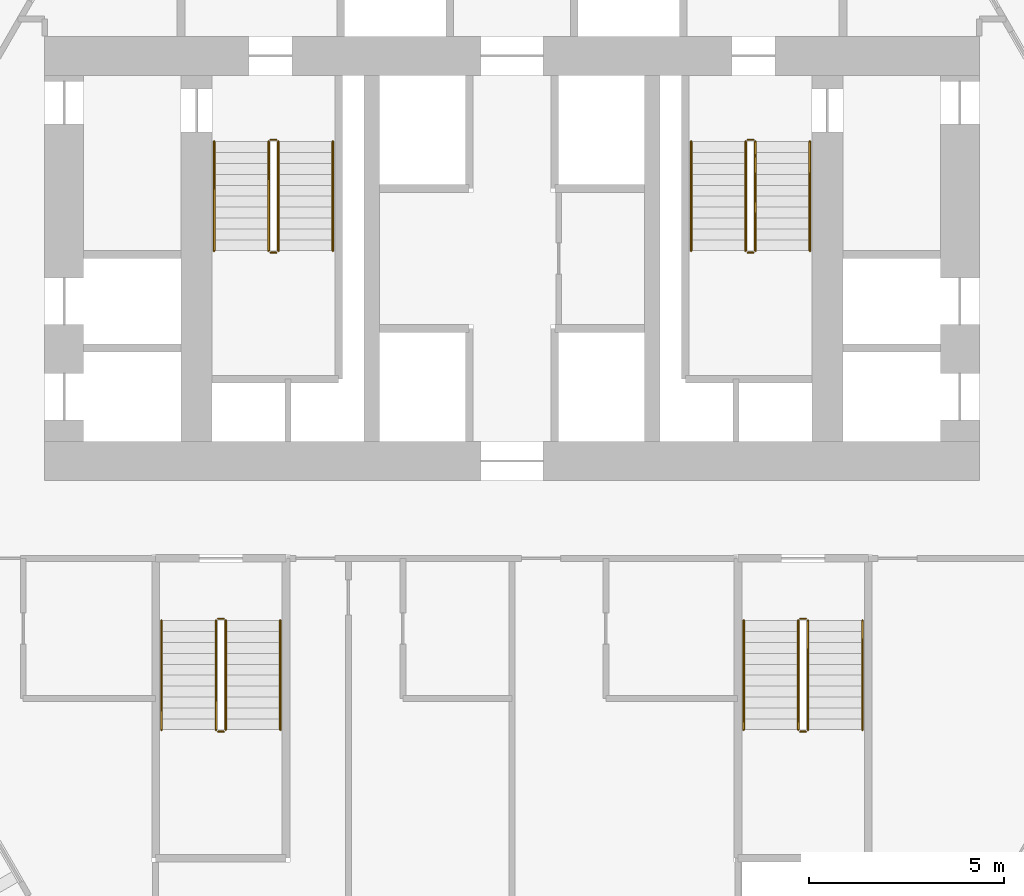
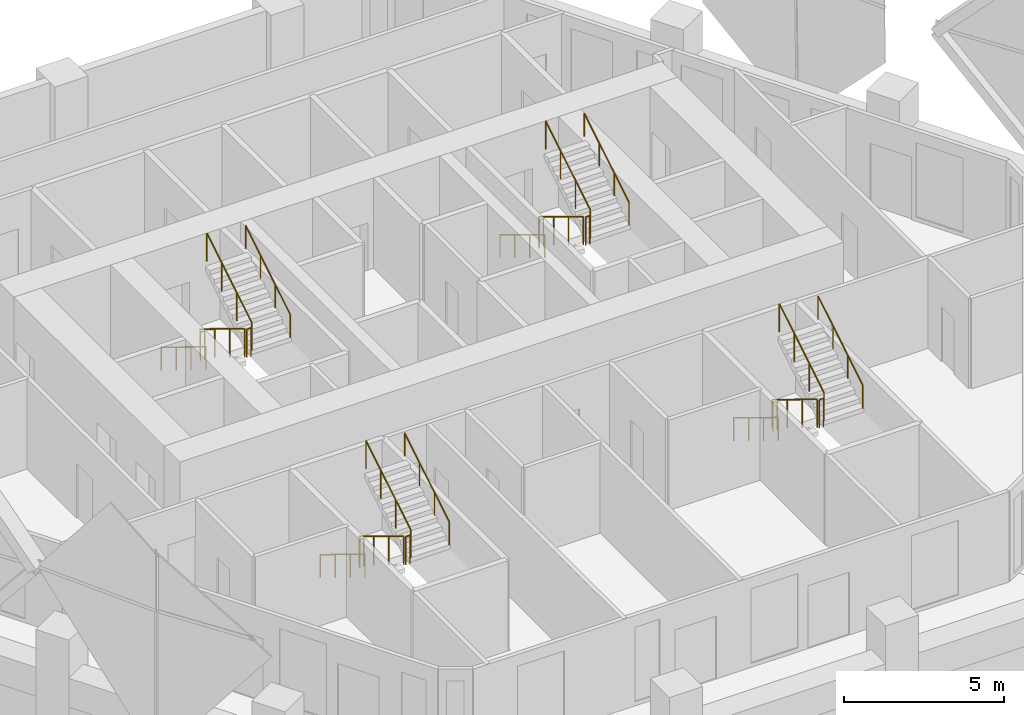
# One storey, part 17 of 17: 24 railings.
"""IFC4 building model written with IfcOpenShell, lengths in metres."""

from ifc_helpers import new_model, si_unit, direction, frame, origin, origin_2d, place, context, subcontext, project, spatial, circle, extrude, material, type_object, element, save


model = new_model("IFC4")

# Units and contexts
model_context = context("Model", 3, precision=1e-05, world=origin(), true_north=direction((0.0, 1.0)))
body_context = subcontext(model_context, "Body", "Model", "MODEL_VIEW")
ifc_project = project(units=[si_unit("LENGTHUNIT", "METRE"), si_unit("AREAUNIT", "SQUARE_METRE"), si_unit("VOLUMEUNIT", "CUBIC_METRE"), si_unit("PLANEANGLEUNIT", "RADIAN"), si_unit("MASSUNIT", "GRAM", prefix="KILO")], contexts=[model_context])

# Site, building, storey
site_placement = place(None, origin())
site = spatial("IfcSite", under=ifc_project, at=site_placement, CompositionType="ELEMENT")
building_placement = place(site_placement, origin())
building = spatial("IfcBuilding", under=site, at=building_placement, Name="Ostrander Bayou Hotel Tower", CompositionType="ELEMENT")
storey_placement = place(building_placement, frame((0.0, 0.0, 127.25)))
storey = spatial("IfcBuildingStorey", under=building, at=storey_placement, Name="L31", CompositionType="ELEMENT", Elevation=127.25)

# Railings
ifc_material_1 = material(Name="Steel ASTM A500 Gr C", Category="steel")
railing_type_1 = type_object("IfcRailingType", Name="GR1 stair guard 1100 mm steel", PredefinedType="GUARDRAIL", material=ifc_material_1)
railing_1_placement = place(storey_placement, frame((-6.25, 7.0, 0.17041015625)))
element("IfcRailing", 1, at=railing_1_placement, inside=storey, type_object=railing_type_1, Name="L31 STA stair guard 1", PredefinedType="GUARDRAIL", context=body_context, shape_type="SweptSolid", body=[
    extrude(circle(Radius=0.02392578125, at=origin_2d()), frame((0.0, 0.0, 1.076171875), z_axis=(0.0, -0.854169791009, 0.51999420009), x_axis=(1.0, 0.0, 0.0)), (0.0, 0.0, 1.0), 3.278076171875),
    extrude(circle(Radius=0.02099609375, at=origin_2d()), origin(), (0.0, 0.0, 1.0), 1.052001953125),
    extrude(circle(Radius=0.02099609375, at=origin_2d()), frame((0.0, -0.933349609375, 0.568115234375)), (0.0, 0.0, 1.0), 1.052001953125),
    extrude(circle(Radius=0.02099609375, at=origin_2d()), frame((0.0, -1.86669921875, 1.136474609375)), (0.0, 0.0, 1.0), 1.052001953125),
    extrude(circle(Radius=0.02099609375, at=origin_2d()), frame((0.0, -2.800048828125, 1.70458984375)), (0.0, 0.0, 1.0), 1.052001953125),
])
railing_2_placement = place(storey_placement, frame((-6.199951171875, 4.14990234375, 1.875)))
element("IfcRailing", 2, at=railing_2_placement, inside=storey, type_object=railing_type_1, Name="L31 STA stair guard 2", PredefinedType="GUARDRAIL", context=body_context, shape_type="SweptSolid", body=[
    extrude(circle(Radius=0.02392578125, at=origin_2d()), frame((0.0, 0.0, 1.076171875), z_axis=(1.0, 0.0, 0.0), x_axis=(0.0, 1.0, 0.0)), (0.0, 0.0, 1.0), 0.14990234375),
    extrude(circle(Radius=0.02099609375, at=origin_2d()), origin(), (0.0, 0.0, 1.0), 1.052001953125),
    extrude(circle(Radius=0.02099609375, at=origin_2d()), frame((0.14990234375, 0.0, 0.0)), (0.0, 0.0, 1.0), 1.052001953125),
])
railing_3_placement = place(storey_placement, frame((-6.0, 4.199951171875, 2.04541015625)))
element("IfcRailing", 3, at=railing_3_placement, inside=storey, type_object=railing_type_1, Name="L31 STA stair guard 3", PredefinedType="GUARDRAIL", context=body_context, shape_type="SweptSolid", body=[
    extrude(circle(Radius=0.02392578125, at=origin_2d()), frame((0.0, 0.0, 1.076171875), z_axis=(0.0, 0.854169791009, 0.51999420009), x_axis=(-1.0, 0.0, 0.0)), (0.0, 0.0, 1.0), 3.278076171875),
    extrude(circle(Radius=0.02099609375, at=origin_2d()), origin(), (0.0, 0.0, 1.0), 1.052001953125),
    extrude(circle(Radius=0.02099609375, at=origin_2d()), frame((0.0, 0.933349609375, 0.568115234375)), (0.0, 0.0, 1.0), 1.052001953125),
    extrude(circle(Radius=0.02099609375, at=origin_2d()), frame((0.0, 1.86669921875, 1.136474609375)), (0.0, 0.0, 1.0), 1.052001953125),
    extrude(circle(Radius=0.02099609375, at=origin_2d()), frame((0.0, 2.800048828125, 1.70458984375)), (0.0, 0.0, 1.0), 1.052001953125),
])
railing_4_placement = place(storey_placement, frame((-6.199951171875, 7.050048828125, 0.0)))
element("IfcRailing", 4, at=railing_4_placement, inside=storey, type_object=railing_type_1, Name="L31 STA stair guard 4", PredefinedType="GUARDRAIL", context=body_context, shape_type="SweptSolid", body=[
    extrude(circle(Radius=0.02392578125, at=origin_2d()), frame((0.0, 0.0, 1.076171875), z_axis=(1.0, 0.0, 0.0), x_axis=(0.0, 1.0, 0.0)), (0.0, 0.0, 1.0), 0.14990234375),
    extrude(circle(Radius=0.02099609375, at=origin_2d()), origin(), (0.0, 0.0, 1.0), 1.052001953125),
    extrude(circle(Radius=0.02099609375, at=origin_2d()), frame((0.14990234375, 0.0, 0.0)), (0.0, 0.0, 1.0), 1.052001953125),
])
railing_5_placement = place(storey_placement, frame((6.0, 7.0, 0.17041015625)))
element("IfcRailing", 5, at=railing_5_placement, inside=storey, type_object=railing_type_1, Name="L31 STB stair guard 1", PredefinedType="GUARDRAIL", context=body_context, shape_type="SweptSolid", body=[
    extrude(circle(Radius=0.02392578125, at=origin_2d()), frame((0.0, 0.0, 1.076171875), z_axis=(0.0, -0.854169791009, 0.51999420009), x_axis=(1.0, 0.0, 0.0)), (0.0, 0.0, 1.0), 3.278076171875),
    extrude(circle(Radius=0.02099609375, at=origin_2d()), origin(), (0.0, 0.0, 1.0), 1.052001953125),
    extrude(circle(Radius=0.02099609375, at=origin_2d()), frame((0.0, -0.933349609375, 0.568115234375)), (0.0, 0.0, 1.0), 1.052001953125),
    extrude(circle(Radius=0.02099609375, at=origin_2d()), frame((0.0, -1.86669921875, 1.136474609375)), (0.0, 0.0, 1.0), 1.052001953125),
    extrude(circle(Radius=0.02099609375, at=origin_2d()), frame((0.0, -2.800048828125, 1.70458984375)), (0.0, 0.0, 1.0), 1.052001953125),
])
railing_6_placement = place(storey_placement, frame((6.050048828125, 4.14990234375, 1.875)))
element("IfcRailing", 6, at=railing_6_placement, inside=storey, type_object=railing_type_1, Name="L31 STB stair guard 2", PredefinedType="GUARDRAIL", context=body_context, shape_type="SweptSolid", body=[
    extrude(circle(Radius=0.02392578125, at=origin_2d()), frame((0.0, 0.0, 1.076171875), z_axis=(1.0, 0.0, 0.0), x_axis=(0.0, 1.0, 0.0)), (0.0, 0.0, 1.0), 0.14990234375),
    extrude(circle(Radius=0.02099609375, at=origin_2d()), origin(), (0.0, 0.0, 1.0), 1.052001953125),
    extrude(circle(Radius=0.02099609375, at=origin_2d()), frame((0.14990234375, 0.0, 0.0)), (0.0, 0.0, 1.0), 1.052001953125),
])
railing_7_placement = place(storey_placement, frame((6.25, 4.199951171875, 2.04541015625)))
element("IfcRailing", 7, at=railing_7_placement, inside=storey, type_object=railing_type_1, Name="L31 STB stair guard 3", PredefinedType="GUARDRAIL", context=body_context, shape_type="SweptSolid", body=[
    extrude(circle(Radius=0.02392578125, at=origin_2d()), frame((0.0, 0.0, 1.076171875), z_axis=(0.0, 0.854169791009, 0.51999420009), x_axis=(-1.0, 0.0, 0.0)), (0.0, 0.0, 1.0), 3.278076171875),
    extrude(circle(Radius=0.02099609375, at=origin_2d()), origin(), (0.0, 0.0, 1.0), 1.052001953125),
    extrude(circle(Radius=0.02099609375, at=origin_2d()), frame((0.0, 0.933349609375, 0.568115234375)), (0.0, 0.0, 1.0), 1.052001953125),
    extrude(circle(Radius=0.02099609375, at=origin_2d()), frame((0.0, 1.86669921875, 1.136474609375)), (0.0, 0.0, 1.0), 1.052001953125),
    extrude(circle(Radius=0.02099609375, at=origin_2d()), frame((0.0, 2.800048828125, 1.70458984375)), (0.0, 0.0, 1.0), 1.052001953125),
])
railing_8_placement = place(storey_placement, frame((6.050048828125, 7.050048828125, 0.0)))
element("IfcRailing", 8, at=railing_8_placement, inside=storey, type_object=railing_type_1, Name="L31 STB stair guard 4", PredefinedType="GUARDRAIL", context=body_context, shape_type="SweptSolid", body=[
    extrude(circle(Radius=0.02392578125, at=origin_2d()), frame((0.0, 0.0, 1.076171875), z_axis=(1.0, 0.0, 0.0), x_axis=(0.0, 1.0, 0.0)), (0.0, 0.0, 1.0), 0.14990234375),
    extrude(circle(Radius=0.02099609375, at=origin_2d()), origin(), (0.0, 0.0, 1.0), 1.052001953125),
    extrude(circle(Radius=0.02099609375, at=origin_2d()), frame((0.14990234375, 0.0, 0.0)), (0.0, 0.0, 1.0), 1.052001953125),
])
railing_9_placement = place(storey_placement, frame((7.35009765625, -5.300048828125, 0.17041015625)))
element("IfcRailing", 9, at=railing_9_placement, inside=storey, type_object=railing_type_1, Name="L31 STC stair guard 1", PredefinedType="GUARDRAIL", context=body_context, shape_type="SweptSolid", body=[
    extrude(circle(Radius=0.02392578125, at=origin_2d()), frame((0.0, 0.0, 1.076171875), z_axis=(0.0, -0.854169791009, 0.51999420009), x_axis=(1.0, 0.0, 0.0)), (0.0, 0.0, 1.0), 3.278076171875),
    extrude(circle(Radius=0.02099609375, at=origin_2d()), origin(), (0.0, 0.0, 1.0), 1.052001953125),
    extrude(circle(Radius=0.02099609375, at=origin_2d()), frame((0.0, -0.933349609375, 0.568115234375)), (0.0, 0.0, 1.0), 1.052001953125),
    extrude(circle(Radius=0.02099609375, at=origin_2d()), frame((0.0, -1.86669921875, 1.136474609375)), (0.0, 0.0, 1.0), 1.052001953125),
    extrude(circle(Radius=0.02099609375, at=origin_2d()), frame((0.0, -2.800048828125, 1.70458984375)), (0.0, 0.0, 1.0), 1.052001953125),
])
railing_10_placement = place(storey_placement, frame((7.39990234375, -8.14990234375, 1.875)))
element("IfcRailing", 10, at=railing_10_placement, inside=storey, type_object=railing_type_1, Name="L31 STC stair guard 2", PredefinedType="GUARDRAIL", context=body_context, shape_type="SweptSolid", body=[
    extrude(circle(Radius=0.02392578125, at=origin_2d()), frame((0.0, 0.0, 1.076171875), z_axis=(1.0, 0.0, 0.0), x_axis=(0.0, 1.0, 0.0)), (0.0, 0.0, 1.0), 0.150146484375),
    extrude(circle(Radius=0.02099609375, at=origin_2d()), origin(), (0.0, 0.0, 1.0), 1.052001953125),
    extrude(circle(Radius=0.02099609375, at=origin_2d()), frame((0.150146484375, 0.0, 0.0)), (0.0, 0.0, 1.0), 1.052001953125),
])
railing_11_placement = place(storey_placement, frame((7.60009765625, -8.10009765625, 2.04541015625)))
element("IfcRailing", 11, at=railing_11_placement, inside=storey, type_object=railing_type_1, Name="L31 STC stair guard 3", PredefinedType="GUARDRAIL", context=body_context, shape_type="SweptSolid", body=[
    extrude(circle(Radius=0.02392578125, at=origin_2d()), frame((0.0, 0.0, 1.076171875), z_axis=(0.0, 0.854169791009, 0.51999420009), x_axis=(-1.0, 0.0, 0.0)), (0.0, 0.0, 1.0), 3.278076171875),
    extrude(circle(Radius=0.02099609375, at=origin_2d()), origin(), (0.0, 0.0, 1.0), 1.052001953125),
    extrude(circle(Radius=0.02099609375, at=origin_2d()), frame((0.0, 0.933349609375, 0.568115234375)), (0.0, 0.0, 1.0), 1.052001953125),
    extrude(circle(Radius=0.02099609375, at=origin_2d()), frame((0.0, 1.86669921875, 1.136474609375)), (0.0, 0.0, 1.0), 1.052001953125),
    extrude(circle(Radius=0.02099609375, at=origin_2d()), frame((0.0, 2.800048828125, 1.70458984375)), (0.0, 0.0, 1.0), 1.052001953125),
])
railing_12_placement = place(storey_placement, frame((7.39990234375, -5.25, 0.0)))
element("IfcRailing", 12, at=railing_12_placement, inside=storey, type_object=railing_type_1, Name="L31 STC stair guard 4", PredefinedType="GUARDRAIL", context=body_context, shape_type="SweptSolid", body=[
    extrude(circle(Radius=0.02392578125, at=origin_2d()), frame((0.0, 0.0, 1.076171875), z_axis=(1.0, 0.0, 0.0), x_axis=(0.0, 1.0, 0.0)), (0.0, 0.0, 1.0), 0.150146484375),
    extrude(circle(Radius=0.02099609375, at=origin_2d()), origin(), (0.0, 0.0, 1.0), 1.052001953125),
    extrude(circle(Radius=0.02099609375, at=origin_2d()), frame((0.150146484375, 0.0, 0.0)), (0.0, 0.0, 1.0), 1.052001953125),
])
railing_13_placement = place(storey_placement, frame((-7.60009765625, -5.300048828125, 0.17041015625)))
element("IfcRailing", 13, at=railing_13_placement, inside=storey, type_object=railing_type_1, Name="L31 STD stair guard 1", PredefinedType="GUARDRAIL", context=body_context, shape_type="SweptSolid", body=[
    extrude(circle(Radius=0.02392578125, at=origin_2d()), frame((0.0, 0.0, 1.076171875), z_axis=(0.0, -0.854169791009, 0.51999420009), x_axis=(1.0, 0.0, 0.0)), (0.0, 0.0, 1.0), 3.278076171875),
    extrude(circle(Radius=0.02099609375, at=origin_2d()), origin(), (0.0, 0.0, 1.0), 1.052001953125),
    extrude(circle(Radius=0.02099609375, at=origin_2d()), frame((0.0, -0.933349609375, 0.568115234375)), (0.0, 0.0, 1.0), 1.052001953125),
    extrude(circle(Radius=0.02099609375, at=origin_2d()), frame((0.0, -1.86669921875, 1.136474609375)), (0.0, 0.0, 1.0), 1.052001953125),
    extrude(circle(Radius=0.02099609375, at=origin_2d()), frame((0.0, -2.800048828125, 1.70458984375)), (0.0, 0.0, 1.0), 1.052001953125),
])
railing_14_placement = place(storey_placement, frame((-7.550048828125, -8.14990234375, 1.875)))
element("IfcRailing", 14, at=railing_14_placement, inside=storey, type_object=railing_type_1, Name="L31 STD stair guard 2", PredefinedType="GUARDRAIL", context=body_context, shape_type="SweptSolid", body=[
    extrude(circle(Radius=0.02392578125, at=origin_2d()), frame((0.0, 0.0, 1.076171875), z_axis=(1.0, 0.0, 0.0), x_axis=(0.0, 1.0, 0.0)), (0.0, 0.0, 1.0), 0.150146484375),
    extrude(circle(Radius=0.02099609375, at=origin_2d()), origin(), (0.0, 0.0, 1.0), 1.052001953125),
    extrude(circle(Radius=0.02099609375, at=origin_2d()), frame((0.150146484375, 0.0, 0.0)), (0.0, 0.0, 1.0), 1.052001953125),
])
railing_15_placement = place(storey_placement, frame((-7.35009765625, -8.10009765625, 2.04541015625)))
element("IfcRailing", 15, at=railing_15_placement, inside=storey, type_object=railing_type_1, Name="L31 STD stair guard 3", PredefinedType="GUARDRAIL", context=body_context, shape_type="SweptSolid", body=[
    extrude(circle(Radius=0.02392578125, at=origin_2d()), frame((0.0, 0.0, 1.076171875), z_axis=(0.0, 0.854169791009, 0.51999420009), x_axis=(-1.0, 0.0, 0.0)), (0.0, 0.0, 1.0), 3.278076171875),
    extrude(circle(Radius=0.02099609375, at=origin_2d()), origin(), (0.0, 0.0, 1.0), 1.052001953125),
    extrude(circle(Radius=0.02099609375, at=origin_2d()), frame((0.0, 0.933349609375, 0.568115234375)), (0.0, 0.0, 1.0), 1.052001953125),
    extrude(circle(Radius=0.02099609375, at=origin_2d()), frame((0.0, 1.86669921875, 1.136474609375)), (0.0, 0.0, 1.0), 1.052001953125),
    extrude(circle(Radius=0.02099609375, at=origin_2d()), frame((0.0, 2.800048828125, 1.70458984375)), (0.0, 0.0, 1.0), 1.052001953125),
])
railing_16_placement = place(storey_placement, frame((-7.550048828125, -5.25, 0.0)))
element("IfcRailing", 16, at=railing_16_placement, inside=storey, type_object=railing_type_1, Name="L31 STD stair guard 4", PredefinedType="GUARDRAIL", context=body_context, shape_type="SweptSolid", body=[
    extrude(circle(Radius=0.02392578125, at=origin_2d()), frame((0.0, 0.0, 1.076171875), z_axis=(1.0, 0.0, 0.0), x_axis=(0.0, 1.0, 0.0)), (0.0, 0.0, 1.0), 0.150146484375),
    extrude(circle(Radius=0.02099609375, at=origin_2d()), origin(), (0.0, 0.0, 1.0), 1.052001953125),
    extrude(circle(Radius=0.02099609375, at=origin_2d()), frame((0.150146484375, 0.0, 0.0)), (0.0, 0.0, 1.0), 1.052001953125),
])
ifc_material_2 = material(Name="Steel ASTM A500 Gr C", Category="steel")
railing_type_2 = type_object("IfcRailingType", Name="HR1 stair handrail 900 mm steel", PredefinedType="HANDRAIL", material=ifc_material_2)
railing_17_placement = place(storey_placement, frame((-7.64990234375, 7.0, 0.17041015625)))
element("IfcRailing", 17, at=railing_17_placement, inside=storey, type_object=railing_type_2, Name="L31 STA stair handrail 1", PredefinedType="HANDRAIL", context=body_context, shape_type="SweptSolid", body=[
    extrude(circle(Radius=0.02392578125, at=origin_2d()), frame((0.0, 0.0, 0.8759765625), z_axis=(0.0, -0.854169791009, 0.51999420009), x_axis=(1.0, 0.0, 0.0)), (0.0, 0.0, 1.0), 3.278076171875),
    extrude(circle(Radius=0.02099609375, at=origin_2d()), origin(), (0.0, 0.0, 1.0), 0.851806640625),
    extrude(circle(Radius=0.02099609375, at=origin_2d()), frame((0.0, -0.933349609375, 0.568115234375)), (0.0, 0.0, 1.0), 0.851806640625),
    extrude(circle(Radius=0.02099609375, at=origin_2d()), frame((0.0, -1.86669921875, 1.136474609375)), (0.0, 0.0, 1.0), 0.851806640625),
    extrude(circle(Radius=0.02099609375, at=origin_2d()), frame((0.0, -2.800048828125, 1.70458984375)), (0.0, 0.0, 1.0), 0.851806640625),
])
railing_18_placement = place(storey_placement, frame((-4.60009765625, 4.199951171875, 2.04541015625)))
element("IfcRailing", 18, at=railing_18_placement, inside=storey, type_object=railing_type_2, Name="L31 STA stair handrail 2", PredefinedType="HANDRAIL", context=body_context, shape_type="SweptSolid", body=[
    extrude(circle(Radius=0.02392578125, at=origin_2d()), frame((0.0, 0.0, 0.8759765625), z_axis=(0.0, 0.854169791009, 0.51999420009), x_axis=(-1.0, 0.0, 0.0)), (0.0, 0.0, 1.0), 3.278076171875),
    extrude(circle(Radius=0.02099609375, at=origin_2d()), origin(), (0.0, 0.0, 1.0), 0.851806640625),
    extrude(circle(Radius=0.02099609375, at=origin_2d()), frame((0.0, 0.933349609375, 0.568115234375)), (0.0, 0.0, 1.0), 0.851806640625),
    extrude(circle(Radius=0.02099609375, at=origin_2d()), frame((0.0, 1.86669921875, 1.136474609375)), (0.0, 0.0, 1.0), 0.851806640625),
    extrude(circle(Radius=0.02099609375, at=origin_2d()), frame((0.0, 2.800048828125, 1.70458984375)), (0.0, 0.0, 1.0), 0.851806640625),
])
railing_19_placement = place(storey_placement, frame((4.60009765625, 7.0, 0.17041015625)))
element("IfcRailing", 19, at=railing_19_placement, inside=storey, type_object=railing_type_2, Name="L31 STB stair handrail 1", PredefinedType="HANDRAIL", context=body_context, shape_type="SweptSolid", body=[
    extrude(circle(Radius=0.02392578125, at=origin_2d()), frame((0.0, 0.0, 0.8759765625), z_axis=(0.0, -0.854169791009, 0.51999420009), x_axis=(1.0, 0.0, 0.0)), (0.0, 0.0, 1.0), 3.278076171875),
    extrude(circle(Radius=0.02099609375, at=origin_2d()), origin(), (0.0, 0.0, 1.0), 0.851806640625),
    extrude(circle(Radius=0.02099609375, at=origin_2d()), frame((0.0, -0.933349609375, 0.568115234375)), (0.0, 0.0, 1.0), 0.851806640625),
    extrude(circle(Radius=0.02099609375, at=origin_2d()), frame((0.0, -1.86669921875, 1.136474609375)), (0.0, 0.0, 1.0), 0.851806640625),
    extrude(circle(Radius=0.02099609375, at=origin_2d()), frame((0.0, -2.800048828125, 1.70458984375)), (0.0, 0.0, 1.0), 0.851806640625),
])
railing_20_placement = place(storey_placement, frame((7.64990234375, 4.199951171875, 2.04541015625)))
element("IfcRailing", 20, at=railing_20_placement, inside=storey, type_object=railing_type_2, Name="L31 STB stair handrail 2", PredefinedType="HANDRAIL", context=body_context, shape_type="SweptSolid", body=[
    extrude(circle(Radius=0.02392578125, at=origin_2d()), frame((0.0, 0.0, 0.8759765625), z_axis=(0.0, 0.854169791009, 0.51999420009), x_axis=(-1.0, 0.0, 0.0)), (0.0, 0.0, 1.0), 3.278076171875),
    extrude(circle(Radius=0.02099609375, at=origin_2d()), origin(), (0.0, 0.0, 1.0), 0.851806640625),
    extrude(circle(Radius=0.02099609375, at=origin_2d()), frame((0.0, 0.933349609375, 0.568115234375)), (0.0, 0.0, 1.0), 0.851806640625),
    extrude(circle(Radius=0.02099609375, at=origin_2d()), frame((0.0, 1.86669921875, 1.136474609375)), (0.0, 0.0, 1.0), 0.851806640625),
    extrude(circle(Radius=0.02099609375, at=origin_2d()), frame((0.0, 2.800048828125, 1.70458984375)), (0.0, 0.0, 1.0), 0.851806640625),
])
railing_21_placement = place(storey_placement, frame((5.949951171875, -5.300048828125, 0.17041015625)))
element("IfcRailing", 21, at=railing_21_placement, inside=storey, type_object=railing_type_2, Name="L31 STC stair handrail 1", PredefinedType="HANDRAIL", context=body_context, shape_type="SweptSolid", body=[
    extrude(circle(Radius=0.02392578125, at=origin_2d()), frame((0.0, 0.0, 0.8759765625), z_axis=(0.0, -0.854169791009, 0.51999420009), x_axis=(1.0, 0.0, 0.0)), (0.0, 0.0, 1.0), 3.278076171875),
    extrude(circle(Radius=0.02099609375, at=origin_2d()), origin(), (0.0, 0.0, 1.0), 0.851806640625),
    extrude(circle(Radius=0.02099609375, at=origin_2d()), frame((0.0, -0.933349609375, 0.568115234375)), (0.0, 0.0, 1.0), 0.851806640625),
    extrude(circle(Radius=0.02099609375, at=origin_2d()), frame((0.0, -1.86669921875, 1.136474609375)), (0.0, 0.0, 1.0), 0.851806640625),
    extrude(circle(Radius=0.02099609375, at=origin_2d()), frame((0.0, -2.800048828125, 1.70458984375)), (0.0, 0.0, 1.0), 0.851806640625),
])
railing_22_placement = place(storey_placement, frame((9.0, -8.10009765625, 2.04541015625)))
element("IfcRailing", 22, at=railing_22_placement, inside=storey, type_object=railing_type_2, Name="L31 STC stair handrail 2", PredefinedType="HANDRAIL", context=body_context, shape_type="SweptSolid", body=[
    extrude(circle(Radius=0.02392578125, at=origin_2d()), frame((0.0, 0.0, 0.8759765625), z_axis=(0.0, 0.854169791009, 0.51999420009), x_axis=(-1.0, 0.0, 0.0)), (0.0, 0.0, 1.0), 3.278076171875),
    extrude(circle(Radius=0.02099609375, at=origin_2d()), origin(), (0.0, 0.0, 1.0), 0.851806640625),
    extrude(circle(Radius=0.02099609375, at=origin_2d()), frame((0.0, 0.933349609375, 0.568115234375)), (0.0, 0.0, 1.0), 0.851806640625),
    extrude(circle(Radius=0.02099609375, at=origin_2d()), frame((0.0, 1.86669921875, 1.136474609375)), (0.0, 0.0, 1.0), 0.851806640625),
    extrude(circle(Radius=0.02099609375, at=origin_2d()), frame((0.0, 2.800048828125, 1.70458984375)), (0.0, 0.0, 1.0), 0.851806640625),
])
railing_23_placement = place(storey_placement, frame((-9.0, -5.300048828125, 0.17041015625)))
element("IfcRailing", 23, at=railing_23_placement, inside=storey, type_object=railing_type_2, Name="L31 STD stair handrail 1", PredefinedType="HANDRAIL", context=body_context, shape_type="SweptSolid", body=[
    extrude(circle(Radius=0.02392578125, at=origin_2d()), frame((0.0, 0.0, 0.8759765625), z_axis=(0.0, -0.854169791009, 0.51999420009), x_axis=(1.0, 0.0, 0.0)), (0.0, 0.0, 1.0), 3.278076171875),
    extrude(circle(Radius=0.02099609375, at=origin_2d()), origin(), (0.0, 0.0, 1.0), 0.851806640625),
    extrude(circle(Radius=0.02099609375, at=origin_2d()), frame((0.0, -0.933349609375, 0.568115234375)), (0.0, 0.0, 1.0), 0.851806640625),
    extrude(circle(Radius=0.02099609375, at=origin_2d()), frame((0.0, -1.86669921875, 1.136474609375)), (0.0, 0.0, 1.0), 0.851806640625),
    extrude(circle(Radius=0.02099609375, at=origin_2d()), frame((0.0, -2.800048828125, 1.70458984375)), (0.0, 0.0, 1.0), 0.851806640625),
])
railing_24_placement = place(storey_placement, frame((-5.949951171875, -8.10009765625, 2.04541015625)))
element("IfcRailing", 24, at=railing_24_placement, inside=storey, type_object=railing_type_2, Name="L31 STD stair handrail 2", PredefinedType="HANDRAIL", context=body_context, shape_type="SweptSolid", body=[
    extrude(circle(Radius=0.02392578125, at=origin_2d()), frame((0.0, 0.0, 0.8759765625), z_axis=(0.0, 0.854169791009, 0.51999420009), x_axis=(-1.0, 0.0, 0.0)), (0.0, 0.0, 1.0), 3.278076171875),
    extrude(circle(Radius=0.02099609375, at=origin_2d()), origin(), (0.0, 0.0, 1.0), 0.851806640625),
    extrude(circle(Radius=0.02099609375, at=origin_2d()), frame((0.0, 0.933349609375, 0.568115234375)), (0.0, 0.0, 1.0), 0.851806640625),
    extrude(circle(Radius=0.02099609375, at=origin_2d()), frame((0.0, 1.86669921875, 1.136474609375)), (0.0, 0.0, 1.0), 0.851806640625),
    extrude(circle(Radius=0.02099609375, at=origin_2d()), frame((0.0, 2.800048828125, 1.70458984375)), (0.0, 0.0, 1.0), 0.851806640625),
])

save(model, "model.ifc")
